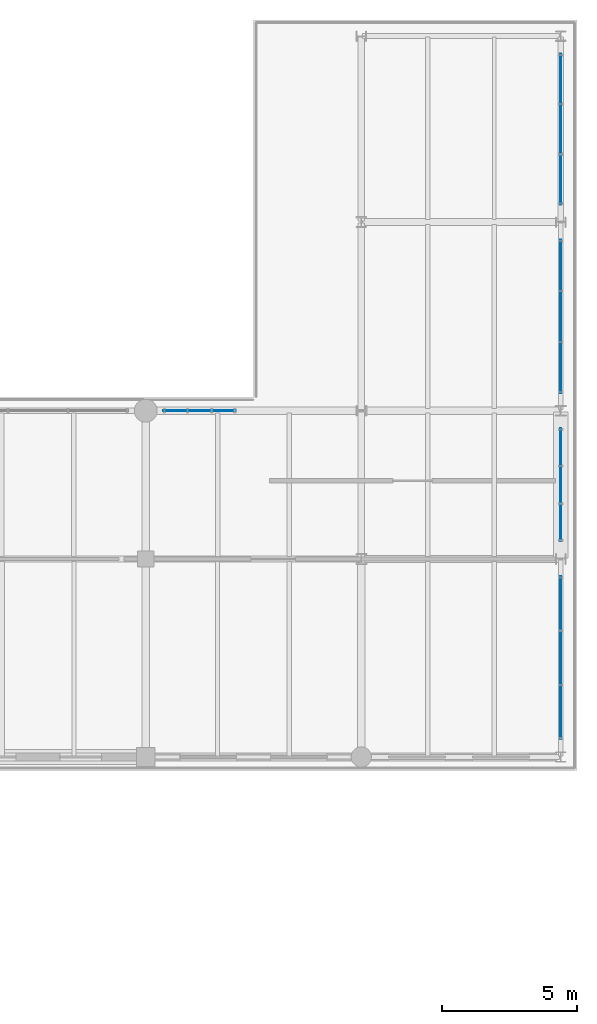
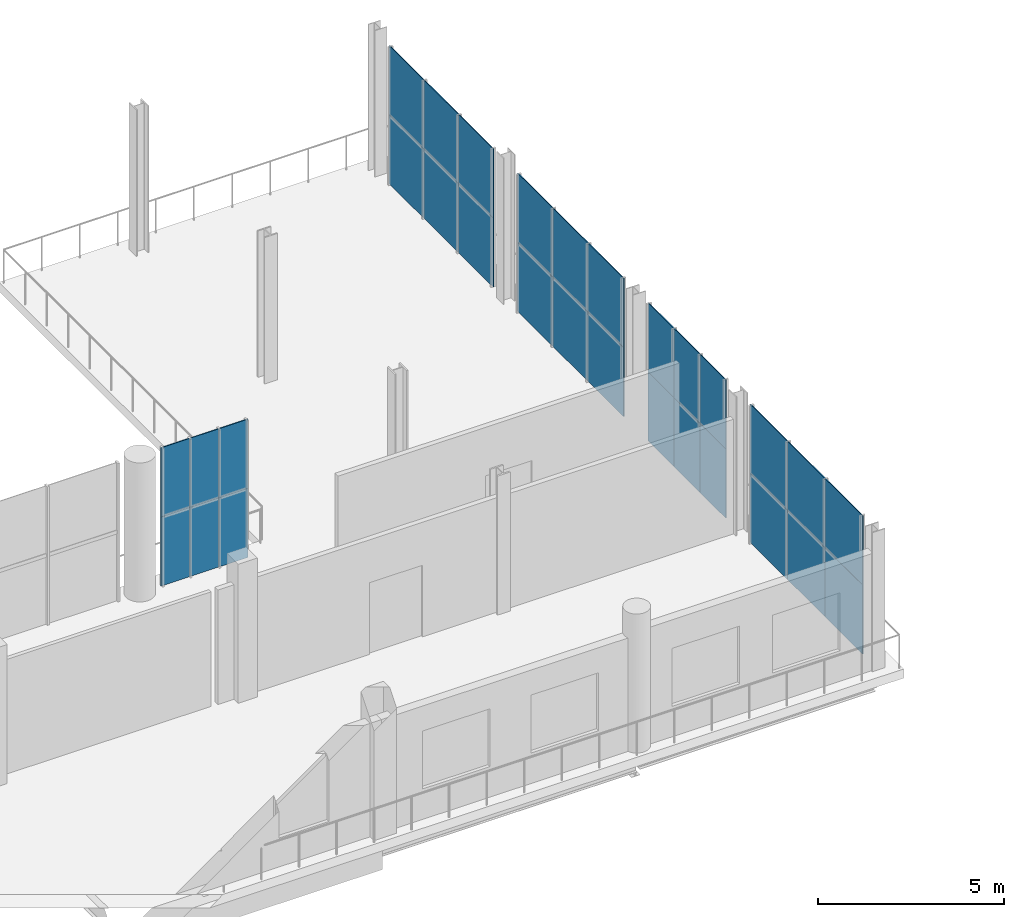
# One storey, part 47 of 70: 30 plates, 5 elements without a shape of their own.
"""IFC4 building model written with IfcOpenShell, lengths in metres."""

from ifc_helpers import new_model, si_unit, direction, frame, origin, origin_2d, place, context, subcontext, project, spatial, rectangle, extrude, material, layer, layer_set, type_object, element, aggregate, save


model = new_model("IFC4")

# Units and contexts
model_context = context("Model", 3, precision=1e-05, world=origin(), true_north=direction((0.0, 1.0)))
body_context = subcontext(model_context, "Body", "Model", "MODEL_VIEW")
ifc_project = project(units=[si_unit("LENGTHUNIT", "METRE"), si_unit("AREAUNIT", "SQUARE_METRE"), si_unit("VOLUMEUNIT", "CUBIC_METRE"), si_unit("PLANEANGLEUNIT", "RADIAN"), si_unit("MASSUNIT", "GRAM", prefix="KILO")], contexts=[model_context])

# Site, building, storey
site_placement = place(None, origin())
site = spatial("IfcSite", under=ifc_project, at=site_placement, CompositionType="ELEMENT")
building_placement = place(site_placement, origin())
building = spatial("IfcBuilding", under=site, at=building_placement, Name="Brisemont Oceanarium", CompositionType="ELEMENT")
storey_placement = place(building_placement, frame((0.0, 0.0, 10.199951171875)))
storey = spatial("IfcBuildingStorey", under=building, at=storey_placement, Name="L02", CompositionType="ELEMENT", Elevation=10.199951171875)

# Curtain wall, plates
ifc_material_1 = material(Name="Anodized Extruded Aluminum 6063-T6", Category="aluminium")
curtain_wall_type = type_object("IfcCurtainWallType", Name="CW-RES-52X41", PredefinedType="NOTDEFINED", material=ifc_material_1)
curtain_wall_1_placement = place(storey_placement, origin())
curtain_wall_1 = element("IfcCurtainWall", 1, at=curtain_wall_1_placement, inside=storey, type_object=curtain_wall_type, Name="CW-18 curtain wall CW-V6-E-L02-01", PredefinedType="NOTDEFINED")
ifc_material_2 = material(Name="Insulated Low-E Laminated Glass", Category="glass")
ifc_layer = layer(ifc_material_2, 0.02587890625)
ifc_layer_set = layer_set([ifc_layer], Name="Insulated Low-E Laminated Glass")
plate_type = type_object("IfcPlateType", Name="PLT-CWP-V10", PredefinedType="CURTAIN_PANEL", material=ifc_layer_set)
plate_1_placement = place(storey_placement, frame((159.39990234375, 82.308349609375, 0.00146484375), z_axis=(0.0, 0.0, 1.0), x_axis=(0.0, 1.0, 0.0)))
plate_1 = element("IfcPlate", 2, at=plate_1_placement, type_object=plate_type, Name="CW-V6-E-L02-01 panel 1.1", PredefinedType="CURTAIN_PANEL", context=body_context, shape_type="SweptSolid", body=[
    extrude(rectangle(XDim=2.013671875, YDim=0.02587890625, at=origin_2d()), origin(), (0.0, 0.0, 1.0), 2.26708984375),
])
plate_2_placement = place(storey_placement, frame((159.39990234375, 82.308349609375, 2.271484375), z_axis=(0.0, 0.0, 1.0), x_axis=(0.0, 1.0, 0.0)))
plate_2 = element("IfcPlate", 3, at=plate_2_placement, type_object=plate_type, Name="CW-V6-E-L02-01 panel 1.2", PredefinedType="CURTAIN_PANEL", context=body_context, shape_type="SweptSolid", body=[
    extrude(rectangle(XDim=2.013671875, YDim=0.02587890625, at=origin_2d()), origin(), (0.0, 0.0, 1.0), 2.26708984375),
])
plate_3_placement = place(storey_placement, frame((159.39990234375, 84.324951171875, 0.00146484375), z_axis=(0.0, 0.0, 1.0), x_axis=(0.0, 1.0, 0.0)))
plate_3 = element("IfcPlate", 4, at=plate_3_placement, type_object=plate_type, Name="CW-V6-E-L02-01 panel 2.1", PredefinedType="CURTAIN_PANEL", context=body_context, shape_type="SweptSolid", body=[
    extrude(rectangle(XDim=2.013671875, YDim=0.02587890625, at=origin_2d()), origin(), (0.0, 0.0, 1.0), 2.26708984375),
])
plate_4_placement = place(storey_placement, frame((159.39990234375, 84.324951171875, 2.271484375), z_axis=(0.0, 0.0, 1.0), x_axis=(0.0, 1.0, 0.0)))
plate_4 = element("IfcPlate", 5, at=plate_4_placement, type_object=plate_type, Name="CW-V6-E-L02-01 panel 2.2", PredefinedType="CURTAIN_PANEL", context=body_context, shape_type="SweptSolid", body=[
    extrude(rectangle(XDim=2.013671875, YDim=0.02587890625, at=origin_2d()), origin(), (0.0, 0.0, 1.0), 2.26708984375),
])
plate_5_placement = place(storey_placement, frame((159.39990234375, 86.341796875, 0.00146484375), z_axis=(0.0, 0.0, 1.0), x_axis=(0.0, 1.0, 0.0)))
plate_5 = element("IfcPlate", 6, at=plate_5_placement, type_object=plate_type, Name="CW-V6-E-L02-01 panel 3.1", PredefinedType="CURTAIN_PANEL", context=body_context, shape_type="SweptSolid", body=[
    extrude(rectangle(XDim=2.013671875, YDim=0.02587890625, at=origin_2d()), origin(), (0.0, 0.0, 1.0), 2.26708984375),
])
plate_6_placement = place(storey_placement, frame((159.39990234375, 86.341796875, 2.271484375), z_axis=(0.0, 0.0, 1.0), x_axis=(0.0, 1.0, 0.0)))
plate_6 = element("IfcPlate", 7, at=plate_6_placement, type_object=plate_type, Name="CW-V6-E-L02-01 panel 3.2", PredefinedType="CURTAIN_PANEL", context=body_context, shape_type="SweptSolid", body=[
    extrude(rectangle(XDim=2.013671875, YDim=0.02587890625, at=origin_2d()), origin(), (0.0, 0.0, 1.0), 2.26708984375),
])
aggregate(curtain_wall_1, [plate_1, plate_2, plate_3, plate_4, plate_5, plate_6])

curtain_wall_2_placement = place(storey_placement, origin())
curtain_wall_2 = element("IfcCurtainWall", 8, at=curtain_wall_2_placement, inside=storey, type_object=curtain_wall_type, Name="CW-18 curtain wall CW-V6-E-L02-02", PredefinedType="NOTDEFINED")
plate_7_placement = place(storey_placement, frame((159.39990234375, 89.35009765625, 0.00146484375), z_axis=(0.0, 0.0, 1.0), x_axis=(0.0, 1.0, 0.0)))
plate_7 = element("IfcPlate", 9, at=plate_7_placement, type_object=plate_type, Name="CW-V6-E-L02-02 panel 1.1", PredefinedType="CURTAIN_PANEL", context=body_context, shape_type="SweptSolid", body=[
    extrude(rectangle(XDim=1.39697265625, YDim=0.02587890625, at=origin_2d()), origin(), (0.0, 0.0, 1.0), 2.26708984375),
])
plate_8_placement = place(storey_placement, frame((159.39990234375, 89.35009765625, 2.271484375), z_axis=(0.0, 0.0, 1.0), x_axis=(0.0, 1.0, 0.0)))
plate_8 = element("IfcPlate", 10, at=plate_8_placement, type_object=plate_type, Name="CW-V6-E-L02-02 panel 1.2", PredefinedType="CURTAIN_PANEL", context=body_context, shape_type="SweptSolid", body=[
    extrude(rectangle(XDim=1.39697265625, YDim=0.02587890625, at=origin_2d()), origin(), (0.0, 0.0, 1.0), 2.26708984375),
])
plate_9_placement = place(storey_placement, frame((159.39990234375, 90.75, 0.00146484375), z_axis=(0.0, 0.0, 1.0), x_axis=(0.0, 1.0, 0.0)))
plate_9 = element("IfcPlate", 11, at=plate_9_placement, type_object=plate_type, Name="CW-V6-E-L02-02 panel 2.1", PredefinedType="CURTAIN_PANEL", context=body_context, shape_type="SweptSolid", body=[
    extrude(rectangle(XDim=1.39697265625, YDim=0.02587890625, at=origin_2d()), origin(), (0.0, 0.0, 1.0), 2.26708984375),
])
plate_10_placement = place(storey_placement, frame((159.39990234375, 90.75, 2.271484375), z_axis=(0.0, 0.0, 1.0), x_axis=(0.0, 1.0, 0.0)))
plate_10 = element("IfcPlate", 12, at=plate_10_placement, type_object=plate_type, Name="CW-V6-E-L02-02 panel 2.2", PredefinedType="CURTAIN_PANEL", context=body_context, shape_type="SweptSolid", body=[
    extrude(rectangle(XDim=1.39697265625, YDim=0.02587890625, at=origin_2d()), origin(), (0.0, 0.0, 1.0), 2.26708984375),
])
plate_11_placement = place(storey_placement, frame((159.39990234375, 92.14990234375, 0.00146484375), z_axis=(0.0, 0.0, 1.0), x_axis=(0.0, 1.0, 0.0)))
plate_11 = element("IfcPlate", 13, at=plate_11_placement, type_object=plate_type, Name="CW-V6-E-L02-02 panel 3.1", PredefinedType="CURTAIN_PANEL", context=body_context, shape_type="SweptSolid", body=[
    extrude(rectangle(XDim=1.39697265625, YDim=0.02587890625, at=origin_2d()), origin(), (0.0, 0.0, 1.0), 2.26708984375),
])
plate_12_placement = place(storey_placement, frame((159.39990234375, 92.14990234375, 2.271484375), z_axis=(0.0, 0.0, 1.0), x_axis=(0.0, 1.0, 0.0)))
plate_12 = element("IfcPlate", 14, at=plate_12_placement, type_object=plate_type, Name="CW-V6-E-L02-02 panel 3.2", PredefinedType="CURTAIN_PANEL", context=body_context, shape_type="SweptSolid", body=[
    extrude(rectangle(XDim=1.39697265625, YDim=0.02587890625, at=origin_2d()), origin(), (0.0, 0.0, 1.0), 2.26708984375),
])
aggregate(curtain_wall_2, [plate_7, plate_8, plate_9, plate_10, plate_11, plate_12])

curtain_wall_3_placement = place(storey_placement, origin())
curtain_wall_3 = element("IfcCurtainWall", 15, at=curtain_wall_3_placement, inside=storey, type_object=curtain_wall_type, Name="CW-18 curtain wall CW-V6-E-L02-03", PredefinedType="NOTDEFINED")
plate_13_placement = place(storey_placement, frame((159.39990234375, 95.10009765625, 0.00146484375), z_axis=(0.0, 0.0, 1.0), x_axis=(0.0, 1.0, 0.0)))
plate_13 = element("IfcPlate", 16, at=plate_13_placement, type_object=plate_type, Name="CW-V6-E-L02-03 panel 1.1", PredefinedType="CURTAIN_PANEL", context=body_context, shape_type="SweptSolid", body=[
    extrude(rectangle(XDim=1.89697265625, YDim=0.02587890625, at=origin_2d()), origin(), (0.0, 0.0, 1.0), 2.26708984375),
])
plate_14_placement = place(storey_placement, frame((159.39990234375, 95.10009765625, 2.271484375), z_axis=(0.0, 0.0, 1.0), x_axis=(0.0, 1.0, 0.0)))
plate_14 = element("IfcPlate", 17, at=plate_14_placement, type_object=plate_type, Name="CW-V6-E-L02-03 panel 1.2", PredefinedType="CURTAIN_PANEL", context=body_context, shape_type="SweptSolid", body=[
    extrude(rectangle(XDim=1.89697265625, YDim=0.02587890625, at=origin_2d()), origin(), (0.0, 0.0, 1.0), 2.26708984375),
])
plate_15_placement = place(storey_placement, frame((159.39990234375, 97.0, 0.00146484375), z_axis=(0.0, 0.0, 1.0), x_axis=(0.0, 1.0, 0.0)))
plate_15 = element("IfcPlate", 18, at=plate_15_placement, type_object=plate_type, Name="CW-V6-E-L02-03 panel 2.1", PredefinedType="CURTAIN_PANEL", context=body_context, shape_type="SweptSolid", body=[
    extrude(rectangle(XDim=1.89697265625, YDim=0.02587890625, at=origin_2d()), origin(), (0.0, 0.0, 1.0), 2.26708984375),
])
plate_16_placement = place(storey_placement, frame((159.39990234375, 97.0, 2.271484375), z_axis=(0.0, 0.0, 1.0), x_axis=(0.0, 1.0, 0.0)))
plate_16 = element("IfcPlate", 19, at=plate_16_placement, type_object=plate_type, Name="CW-V6-E-L02-03 panel 2.2", PredefinedType="CURTAIN_PANEL", context=body_context, shape_type="SweptSolid", body=[
    extrude(rectangle(XDim=1.89697265625, YDim=0.02587890625, at=origin_2d()), origin(), (0.0, 0.0, 1.0), 2.26708984375),
])
plate_17_placement = place(storey_placement, frame((159.39990234375, 98.89990234375, 0.00146484375), z_axis=(0.0, 0.0, 1.0), x_axis=(0.0, 1.0, 0.0)))
plate_17 = element("IfcPlate", 20, at=plate_17_placement, type_object=plate_type, Name="CW-V6-E-L02-03 panel 3.1", PredefinedType="CURTAIN_PANEL", context=body_context, shape_type="SweptSolid", body=[
    extrude(rectangle(XDim=1.89697265625, YDim=0.02587890625, at=origin_2d()), origin(), (0.0, 0.0, 1.0), 2.26708984375),
])
plate_18_placement = place(storey_placement, frame((159.39990234375, 98.89990234375, 2.271484375), z_axis=(0.0, 0.0, 1.0), x_axis=(0.0, 1.0, 0.0)))
plate_18 = element("IfcPlate", 21, at=plate_18_placement, type_object=plate_type, Name="CW-V6-E-L02-03 panel 3.2", PredefinedType="CURTAIN_PANEL", context=body_context, shape_type="SweptSolid", body=[
    extrude(rectangle(XDim=1.89697265625, YDim=0.02587890625, at=origin_2d()), origin(), (0.0, 0.0, 1.0), 2.26708984375),
])
aggregate(curtain_wall_3, [plate_13, plate_14, plate_15, plate_16, plate_17, plate_18])

curtain_wall_4_placement = place(storey_placement, origin())
curtain_wall_4 = element("IfcCurtainWall", 22, at=curtain_wall_4_placement, inside=storey, type_object=curtain_wall_type, Name="CW-18 curtain wall CW-V6-E-L02-04", PredefinedType="NOTDEFINED")
plate_19_placement = place(storey_placement, frame((159.39990234375, 102.083251953125, 0.00146484375), z_axis=(0.0, 0.0, 1.0), x_axis=(0.0, 1.0, 0.0)))
plate_19 = element("IfcPlate", 23, at=plate_19_placement, type_object=plate_type, Name="CW-V6-E-L02-04 panel 1.1", PredefinedType="CURTAIN_PANEL", context=body_context, shape_type="SweptSolid", body=[
    extrude(rectangle(XDim=1.86376953125, YDim=0.02587890625, at=origin_2d()), origin(), (0.0, 0.0, 1.0), 2.26708984375),
])
plate_20_placement = place(storey_placement, frame((159.39990234375, 102.083251953125, 2.271484375), z_axis=(0.0, 0.0, 1.0), x_axis=(0.0, 1.0, 0.0)))
plate_20 = element("IfcPlate", 24, at=plate_20_placement, type_object=plate_type, Name="CW-V6-E-L02-04 panel 1.2", PredefinedType="CURTAIN_PANEL", context=body_context, shape_type="SweptSolid", body=[
    extrude(rectangle(XDim=1.86376953125, YDim=0.02587890625, at=origin_2d()), origin(), (0.0, 0.0, 1.0), 2.26708984375),
])
plate_21_placement = place(storey_placement, frame((159.39990234375, 103.949951171875, 0.00146484375), z_axis=(0.0, 0.0, 1.0), x_axis=(0.0, 1.0, 0.0)))
plate_21 = element("IfcPlate", 25, at=plate_21_placement, type_object=plate_type, Name="CW-V6-E-L02-04 panel 2.1", PredefinedType="CURTAIN_PANEL", context=body_context, shape_type="SweptSolid", body=[
    extrude(rectangle(XDim=1.86376953125, YDim=0.02587890625, at=origin_2d()), origin(), (0.0, 0.0, 1.0), 2.26708984375),
])
plate_22_placement = place(storey_placement, frame((159.39990234375, 103.949951171875, 2.271484375), z_axis=(0.0, 0.0, 1.0), x_axis=(0.0, 1.0, 0.0)))
plate_22 = element("IfcPlate", 26, at=plate_22_placement, type_object=plate_type, Name="CW-V6-E-L02-04 panel 2.2", PredefinedType="CURTAIN_PANEL", context=body_context, shape_type="SweptSolid", body=[
    extrude(rectangle(XDim=1.86376953125, YDim=0.02587890625, at=origin_2d()), origin(), (0.0, 0.0, 1.0), 2.26708984375),
])
plate_23_placement = place(storey_placement, frame((159.39990234375, 105.816650390625, 0.00146484375), z_axis=(0.0, 0.0, 1.0), x_axis=(0.0, 1.0, 0.0)))
plate_23 = element("IfcPlate", 27, at=plate_23_placement, type_object=plate_type, Name="CW-V6-E-L02-04 panel 3.1", PredefinedType="CURTAIN_PANEL", context=body_context, shape_type="SweptSolid", body=[
    extrude(rectangle(XDim=1.86376953125, YDim=0.02587890625, at=origin_2d()), origin(), (0.0, 0.0, 1.0), 2.26708984375),
])
plate_24_placement = place(storey_placement, frame((159.39990234375, 105.816650390625, 2.271484375), z_axis=(0.0, 0.0, 1.0), x_axis=(0.0, 1.0, 0.0)))
plate_24 = element("IfcPlate", 28, at=plate_24_placement, type_object=plate_type, Name="CW-V6-E-L02-04 panel 3.2", PredefinedType="CURTAIN_PANEL", context=body_context, shape_type="SweptSolid", body=[
    extrude(rectangle(XDim=1.86376953125, YDim=0.02587890625, at=origin_2d()), origin(), (0.0, 0.0, 1.0), 2.26708984375),
])
aggregate(curtain_wall_4, [plate_19, plate_20, plate_21, plate_22, plate_23, plate_24])

curtain_wall_5_placement = place(storey_placement, origin())
curtain_wall_5 = element("IfcCurtainWall", 29, at=curtain_wall_5_placement, inside=storey, type_object=curtain_wall_type, Name="CW-18 curtain wall CW-V6-CL-L02-03", PredefinedType="NOTDEFINED")
plate_25_placement = place(storey_placement, frame((145.10009765625, 93.5, 0.00146484375), z_axis=(0.0, 0.0, 1.0), x_axis=(1.0, 0.0, 0.0)))
plate_25 = element("IfcPlate", 30, at=plate_25_placement, type_object=plate_type, Name="CW-V6-CL-L02-03 panel 1.1", PredefinedType="CURTAIN_PANEL", context=body_context, shape_type="SweptSolid", body=[
    extrude(rectangle(XDim=0.89697265625, YDim=0.02587890625, at=origin_2d()), origin(), (0.0, 0.0, 1.0), 2.26708984375),
])
plate_26_placement = place(storey_placement, frame((145.10009765625, 93.5, 2.271484375), z_axis=(0.0, 0.0, 1.0), x_axis=(1.0, 0.0, 0.0)))
plate_26 = element("IfcPlate", 31, at=plate_26_placement, type_object=plate_type, Name="CW-V6-CL-L02-03 panel 1.2", PredefinedType="CURTAIN_PANEL", context=body_context, shape_type="SweptSolid", body=[
    extrude(rectangle(XDim=0.89697265625, YDim=0.02587890625, at=origin_2d()), origin(), (0.0, 0.0, 1.0), 2.26708984375),
])
plate_27_placement = place(storey_placement, frame((146.0, 93.5, 0.00146484375), z_axis=(0.0, 0.0, 1.0), x_axis=(1.0, 0.0, 0.0)))
plate_27 = element("IfcPlate", 32, at=plate_27_placement, type_object=plate_type, Name="CW-V6-CL-L02-03 panel 2.1", PredefinedType="CURTAIN_PANEL", context=body_context, shape_type="SweptSolid", body=[
    extrude(rectangle(XDim=0.89697265625, YDim=0.02587890625, at=origin_2d()), origin(), (0.0, 0.0, 1.0), 2.26708984375),
])
plate_28_placement = place(storey_placement, frame((146.0, 93.5, 2.271484375), z_axis=(0.0, 0.0, 1.0), x_axis=(1.0, 0.0, 0.0)))
plate_28 = element("IfcPlate", 33, at=plate_28_placement, type_object=plate_type, Name="CW-V6-CL-L02-03 panel 2.2", PredefinedType="CURTAIN_PANEL", context=body_context, shape_type="SweptSolid", body=[
    extrude(rectangle(XDim=0.89697265625, YDim=0.02587890625, at=origin_2d()), origin(), (0.0, 0.0, 1.0), 2.26708984375),
])
plate_29_placement = place(storey_placement, frame((146.89990234375, 93.5, 0.00146484375), z_axis=(0.0, 0.0, 1.0), x_axis=(1.0, 0.0, 0.0)))
plate_29 = element("IfcPlate", 34, at=plate_29_placement, type_object=plate_type, Name="CW-V6-CL-L02-03 panel 3.1", PredefinedType="CURTAIN_PANEL", context=body_context, shape_type="SweptSolid", body=[
    extrude(rectangle(XDim=0.89697265625, YDim=0.02587890625, at=origin_2d()), origin(), (0.0, 0.0, 1.0), 2.26708984375),
])
plate_30_placement = place(storey_placement, frame((146.89990234375, 93.5, 2.271484375), z_axis=(0.0, 0.0, 1.0), x_axis=(1.0, 0.0, 0.0)))
plate_30 = element("IfcPlate", 35, at=plate_30_placement, type_object=plate_type, Name="CW-V6-CL-L02-03 panel 3.2", PredefinedType="CURTAIN_PANEL", context=body_context, shape_type="SweptSolid", body=[
    extrude(rectangle(XDim=0.89697265625, YDim=0.02587890625, at=origin_2d()), origin(), (0.0, 0.0, 1.0), 2.26708984375),
])
aggregate(curtain_wall_5, [plate_25, plate_26, plate_27, plate_28, plate_29, plate_30])

save(model, "model.ifc")
